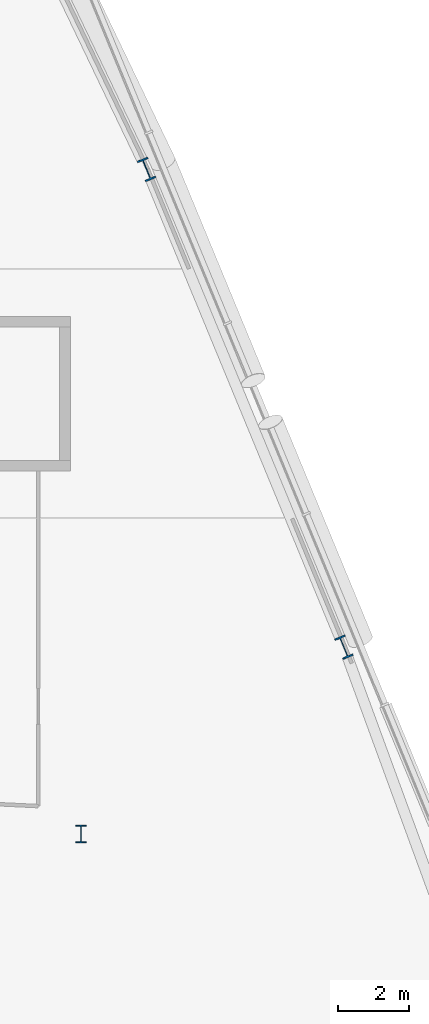
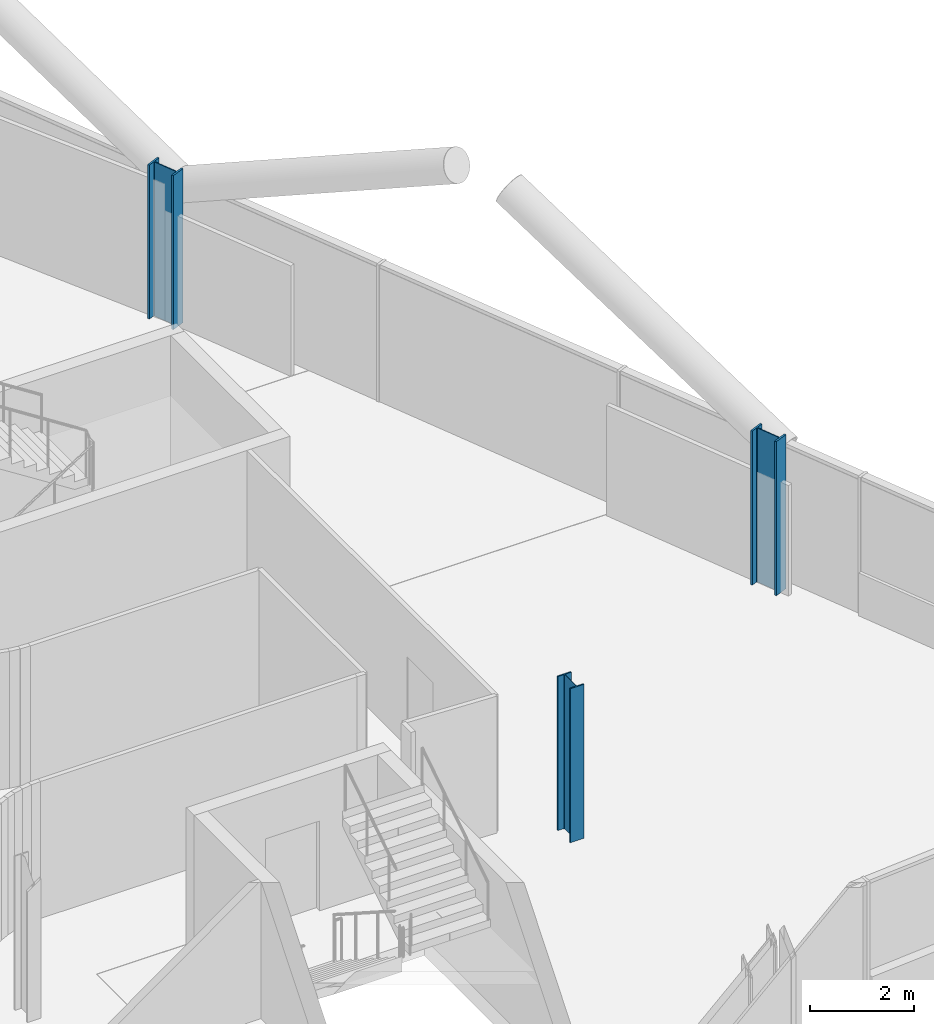
# One storey, part 5 of 29: 3 columns.
"""IFC4 building model written with IfcOpenShell, lengths in metres."""

from ifc_helpers import new_model, si_unit, direction, frame, origin, origin_2d, place, context, subcontext, project, spatial, i_section, extrude, material, material_profile, profile_set, type_object, element, save


model = new_model("IFC4")

# Units and contexts
model_context = context("Model", 3, precision=1e-05, world=origin(), true_north=direction((0.0, 1.0)))
body_context = subcontext(model_context, "Body", "Model", "MODEL_VIEW")
ifc_project = project(units=[si_unit("LENGTHUNIT", "METRE"), si_unit("AREAUNIT", "SQUARE_METRE"), si_unit("VOLUMEUNIT", "CUBIC_METRE"), si_unit("PLANEANGLEUNIT", "RADIAN"), si_unit("MASSUNIT", "GRAM", prefix="KILO")], contexts=[model_context])

# Site, building, storey
site_placement = place(None, origin())
site = spatial("IfcSite", under=ifc_project, at=site_placement, CompositionType="ELEMENT")
building_placement = place(site_placement, origin())
building = spatial("IfcBuilding", under=site, at=building_placement, Name="Wharfspan Tower", CompositionType="ELEMENT")
storey_placement = place(building_placement, frame((0.0, 0.0, 155.5)))
storey = spatial("IfcBuildingStorey", under=building, at=storey_placement, Name="L37", CompositionType="ELEMENT", Elevation=155.5)

# Columns
ifc_material = material(Name="Steel S355J2", Category="steel")
ifc_material_profile_1 = material_profile(ifc_material, i_section(OverallWidth=0.300049, OverallDepth=0.5, WebThickness=0.014404, FlangeThickness=0.028076, FilletRadius=0.0271, at=origin_2d()))
ifc_profile_set_1 = profile_set([ifc_material_profile_1], Name="Steel S355J2")
column_type_1 = type_object("IfcColumnType", Name="Column HEB 500", PredefinedType="COLUMN", material=ifc_profile_set_1)
column_placement = place(storey_placement, frame((72.0, 11.5, 0.0), z_axis=(0.0, 0.0, 1.0), x_axis=(1.0, 0.0, 0.0)))
element("IfcColumn", 1, at=column_placement, inside=storey, type_object=column_type_1, Name="Interior column I.1.5 L37", PredefinedType="COLUMN", context=body_context, shape_type="SweptSolid", body=[
    extrude(i_section(OverallWidth=0.300049, OverallDepth=0.5, WebThickness=0.014404, FlangeThickness=0.028076, FilletRadius=0.0271, at=origin_2d()), origin(), (0.0, 0.0, 1.0), 3.600098),
])
ifc_material_profile_2 = material_profile(ifc_material, i_section(OverallWidth=0.304932, OverallDepth=0.620117, WebThickness=0.020996, FlangeThickness=0.040039, FilletRadius=0.0271, at=origin_2d()))
ifc_profile_set_2 = profile_set([ifc_material_profile_2], Name="Steel S355J2")
column_type_2 = type_object("IfcColumnType", Name="Column HEM 600", PredefinedType="COLUMN", material=ifc_profile_set_2)
for number, where, z_axis, x_axis, name in (
    (2, (79.409668, 16.761719, 0.0), (0.0, 0.0, 1.0), (0.924325, 0.381602, 0.0), "Perimeter column PE.1 L37"),
    (3, (73.85376, 30.219238, 0.0), (0.0, 0.0, 1.0), (0.924325, 0.381602, 0.0), "Perimeter column PE.2 L37"),
):
    element("IfcColumn", number, at=place(storey_placement, frame(where, z_axis=z_axis, x_axis=x_axis)), inside=storey, type_object=column_type_2, Name=name, PredefinedType="COLUMN", context=body_context, shape_type="SweptSolid", body=[
        extrude(i_section(OverallWidth=0.304932, OverallDepth=0.620117, WebThickness=0.020996, FlangeThickness=0.040039, FilletRadius=0.0271, at=origin_2d()), origin(), (0.0, 0.0, 1.0), 3.600098),
    ])

save(model, "model.ifc")
